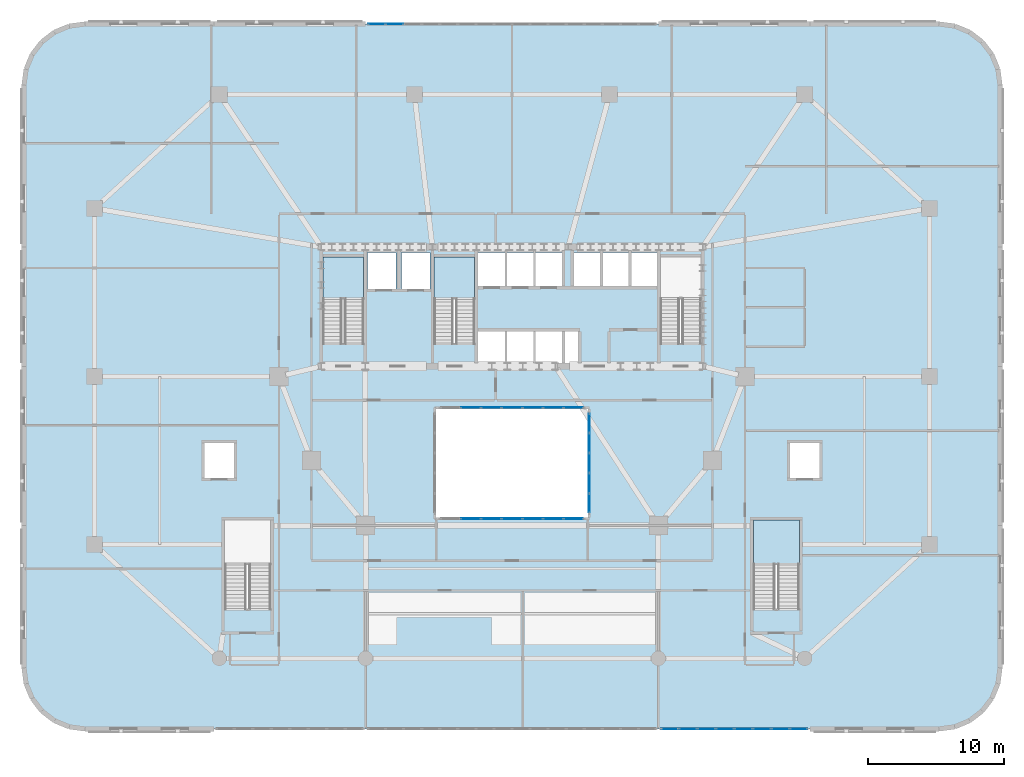
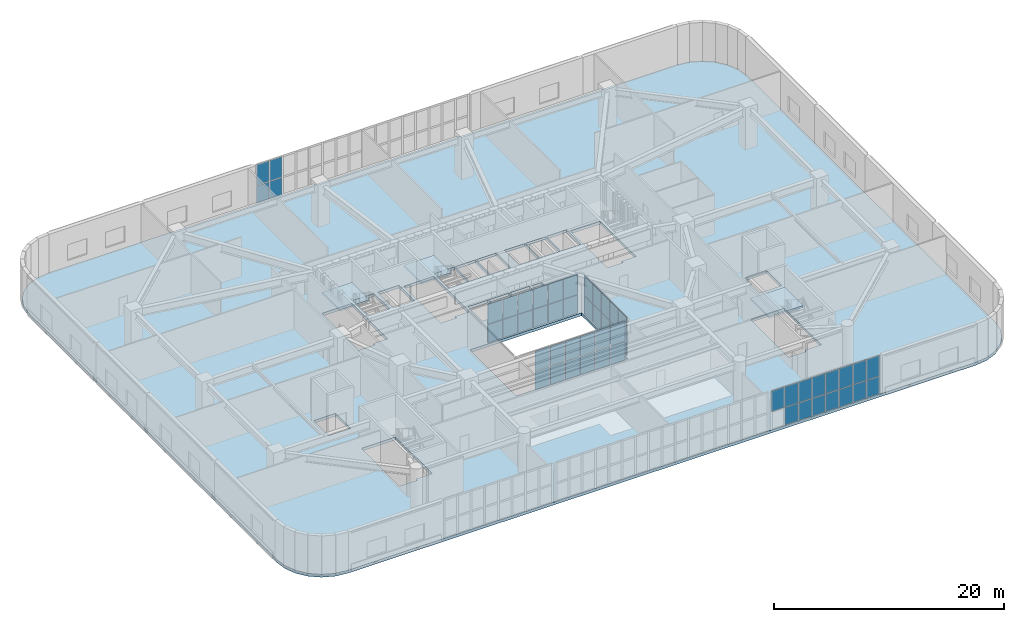
# One storey, part 12 of 25: 53 plates, 4 slabs, 8 elements without a shape of their own.
"""IFC4 building model written with IfcOpenShell, lengths in metres."""

from ifc_helpers import new_model, si_unit, direction, frame, origin, origin_2d, place, context, subcontext, project, spatial, polyline, rectangle, outline, extrude, material, layer, layer_set, type_object, element, aggregate, save


model = new_model("IFC4")

# Units and contexts
model_context = context("Model", 3, precision=1e-05, world=origin(), true_north=direction((0.0, 1.0)))
body_context = subcontext(model_context, "Body", "Model", "MODEL_VIEW")
ifc_project = project(units=[si_unit("LENGTHUNIT", "METRE"), si_unit("AREAUNIT", "SQUARE_METRE"), si_unit("VOLUMEUNIT", "CUBIC_METRE"), si_unit("PLANEANGLEUNIT", "RADIAN"), si_unit("MASSUNIT", "GRAM", prefix="KILO")], contexts=[model_context])

# Site, building, storey
site_placement = place(None, origin())
site = spatial("IfcSite", under=ifc_project, at=site_placement, CompositionType="ELEMENT")
building_placement = place(site_placement, origin())
building = spatial("IfcBuilding", under=site, at=building_placement, Name="Haldorwick Loom Tower", CompositionType="ELEMENT")
storey_placement = place(building_placement, frame((0.0, 0.0, 10.5)))
storey = spatial("IfcBuildingStorey", under=building, at=storey_placement, Name="L02", CompositionType="ELEMENT", Elevation=10.5)

# Curtain wall, plates
ifc_material_1 = material(Name="Thermally Broken Anodized Aluminium Curtain Wall Framing", Category="aluminium")
curtain_wall_type_1 = type_object("IfcCurtainWallType", Name="ARC-CW-02", PredefinedType="NOTDEFINED", material=ifc_material_1)
curtain_wall_1_placement = place(storey_placement, origin())
curtain_wall_1 = element("IfcCurtainWall", 1, at=curtain_wall_1_placement, inside=storey, type_object=curtain_wall_type_1, Name="L02 Facade Curtain Wall CW-02 Bay 19", PredefinedType="NOTDEFINED")
ifc_material_2 = material(Name="Triple-Glazed Low-E Argon Insulated Glazing Unit", Category="glass")
ifc_layer_1 = layer(ifc_material_2, 0.0400390625, Name="Triple-Glazed Low-E Argon Insulated Glazing Unit", Category="glass")
ifc_layer_set_1 = layer_set([ifc_layer_1], Name="Triple-Glazed Low-E Argon Insulated Glazing Unit")
plate_type_1 = type_object("IfcPlateType", Name="ARC-CWP-02", PredefinedType="CURTAIN_PANEL", material=ifc_layer_set_1)
plate_1_placement = place(storey_placement, frame((27.3388671875, 52.0, 0.06982421875), z_axis=(0.0, 0.0, 1.0), x_axis=(-1.0, 0.0, 0.0)))
plate_1 = element("IfcPlate", 2, at=plate_1_placement, type_object=plate_type_1, Name="CW-02 panel 15.1", PredefinedType="CURTAIN_PANEL", context=body_context, shape_type="SweptSolid", body=[
    extrude(rectangle(XDim=1.262451171875, YDim=0.0400390625, at=origin_2d()), origin(), (0.0, 0.0, 1.0), 1.844970703125),
])
plate_2_placement = place(storey_placement, frame((27.3388671875, 52.0, 1.985107421875), z_axis=(0.0, 0.0, 1.0), x_axis=(-1.0, 0.0, 0.0)))
plate_2 = element("IfcPlate", 3, at=plate_2_placement, type_object=plate_type_1, Name="CW-02 panel 15.2", PredefinedType="CURTAIN_PANEL", context=body_context, shape_type="SweptSolid", body=[
    extrude(rectangle(XDim=1.262451171875, YDim=0.0400390625, at=origin_2d()), origin(), (0.0, 0.0, 1.0), 2.14501953125),
])
plate_3_placement = place(storey_placement, frame((26.023681640625, 52.0, 0.06982421875), z_axis=(0.0, 0.0, 1.0), x_axis=(-1.0, 0.0, 0.0)))
plate_3 = element("IfcPlate", 4, at=plate_3_placement, type_object=plate_type_1, Name="CW-02 panel 16.1", PredefinedType="CURTAIN_PANEL", context=body_context, shape_type="SweptSolid", body=[
    extrude(rectangle(XDim=1.2275390625, YDim=0.0400390625, at=origin_2d()), origin(), (0.0, 0.0, 1.0), 1.844970703125),
])
plate_4_placement = place(storey_placement, frame((26.023681640625, 52.0, 1.985107421875), z_axis=(0.0, 0.0, 1.0), x_axis=(-1.0, 0.0, 0.0)))
plate_4 = element("IfcPlate", 5, at=plate_4_placement, type_object=plate_type_1, Name="CW-02 panel 16.2", PredefinedType="CURTAIN_PANEL", context=body_context, shape_type="SweptSolid", body=[
    extrude(rectangle(XDim=1.2275390625, YDim=0.0400390625, at=origin_2d()), origin(), (0.0, 0.0, 1.0), 2.14501953125),
])
aggregate(curtain_wall_1, [plate_1, plate_2, plate_3, plate_4])

curtain_wall_2_placement = place(storey_placement, origin())
curtain_wall_2 = element("IfcCurtainWall", 6, at=curtain_wall_2_placement, inside=storey, type_object=curtain_wall_type_1, Name="L02 Facade Curtain Wall CW-02 Bay 41", PredefinedType="NOTDEFINED")
plate_5_placement = place(storey_placement, frame((47.639892578125, 0.0, 1.985107421875), z_axis=(0.0, 0.0, 1.0), x_axis=(1.0, 0.0, 0.0)))
plate_5 = element("IfcPlate", 7, at=plate_5_placement, type_object=plate_type_1, Name="CW-02 panel 1.2", PredefinedType="CURTAIN_PANEL", context=body_context, shape_type="SweptSolid", body=[
    extrude(rectangle(XDim=1.260009765625, YDim=0.0400390625, at=origin_2d()), origin(), (0.0, 0.0, 1.0), 2.14501953125),
])
plate_6_placement = place(storey_placement, frame((48.987548828125, 0.0, 0.06982421875), z_axis=(0.0, 0.0, 1.0), x_axis=(1.0, 0.0, 0.0)))
plate_6 = element("IfcPlate", 8, at=plate_6_placement, type_object=plate_type_1, Name="CW-02 panel 2.1", PredefinedType="CURTAIN_PANEL", context=body_context, shape_type="SweptSolid", body=[
    extrude(rectangle(XDim=1.294921875, YDim=0.0400390625, at=origin_2d()), origin(), (0.0, 0.0, 1.0), 1.844970703125),
])
plate_7_placement = place(storey_placement, frame((48.987548828125, 0.0, 1.985107421875), z_axis=(0.0, 0.0, 1.0), x_axis=(1.0, 0.0, 0.0)))
plate_7 = element("IfcPlate", 9, at=plate_7_placement, type_object=plate_type_1, Name="CW-02 panel 2.2", PredefinedType="CURTAIN_PANEL", context=body_context, shape_type="SweptSolid", body=[
    extrude(rectangle(XDim=1.294921875, YDim=0.0400390625, at=origin_2d()), origin(), (0.0, 0.0, 1.0), 2.14501953125),
])
plate_8_placement = place(storey_placement, frame((50.3525390625, 0.0, 0.06982421875), z_axis=(0.0, 0.0, 1.0), x_axis=(1.0, 0.0, 0.0)))
plate_8 = element("IfcPlate", 10, at=plate_8_placement, type_object=plate_type_1, Name="CW-02 panel 3.1", PredefinedType="CURTAIN_PANEL", context=body_context, shape_type="SweptSolid", body=[
    extrude(rectangle(XDim=1.294921875, YDim=0.0400390625, at=origin_2d()), origin(), (0.0, 0.0, 1.0), 1.844970703125),
])
plate_9_placement = place(storey_placement, frame((50.3525390625, 0.0, 1.985107421875), z_axis=(0.0, 0.0, 1.0), x_axis=(1.0, 0.0, 0.0)))
plate_9 = element("IfcPlate", 11, at=plate_9_placement, type_object=plate_type_1, Name="CW-02 panel 3.2", PredefinedType="CURTAIN_PANEL", context=body_context, shape_type="SweptSolid", body=[
    extrude(rectangle(XDim=1.294921875, YDim=0.0400390625, at=origin_2d()), origin(), (0.0, 0.0, 1.0), 2.14501953125),
])
plate_10_placement = place(storey_placement, frame((51.717529296875, 0.0, 0.06982421875), z_axis=(0.0, 0.0, 1.0), x_axis=(1.0, 0.0, 0.0)))
plate_10 = element("IfcPlate", 12, at=plate_10_placement, type_object=plate_type_1, Name="CW-02 panel 4.1", PredefinedType="CURTAIN_PANEL", context=body_context, shape_type="SweptSolid", body=[
    extrude(rectangle(XDim=1.294921875, YDim=0.0400390625, at=origin_2d()), origin(), (0.0, 0.0, 1.0), 1.844970703125),
])
plate_11_placement = place(storey_placement, frame((51.717529296875, 0.0, 1.985107421875), z_axis=(0.0, 0.0, 1.0), x_axis=(1.0, 0.0, 0.0)))
plate_11 = element("IfcPlate", 13, at=plate_11_placement, type_object=plate_type_1, Name="CW-02 panel 4.2", PredefinedType="CURTAIN_PANEL", context=body_context, shape_type="SweptSolid", body=[
    extrude(rectangle(XDim=1.294921875, YDim=0.0400390625, at=origin_2d()), origin(), (0.0, 0.0, 1.0), 2.14501953125),
])
plate_12_placement = place(storey_placement, frame((53.08251953125, 0.0, 0.06982421875), z_axis=(0.0, 0.0, 1.0), x_axis=(1.0, 0.0, 0.0)))
plate_12 = element("IfcPlate", 14, at=plate_12_placement, type_object=plate_type_1, Name="CW-02 panel 5.1", PredefinedType="CURTAIN_PANEL", context=body_context, shape_type="SweptSolid", body=[
    extrude(rectangle(XDim=1.294921875, YDim=0.0400390625, at=origin_2d()), origin(), (0.0, 0.0, 1.0), 1.844970703125),
])
plate_13_placement = place(storey_placement, frame((53.08251953125, 0.0, 1.985107421875), z_axis=(0.0, 0.0, 1.0), x_axis=(1.0, 0.0, 0.0)))
plate_13 = element("IfcPlate", 15, at=plate_13_placement, type_object=plate_type_1, Name="CW-02 panel 5.2", PredefinedType="CURTAIN_PANEL", context=body_context, shape_type="SweptSolid", body=[
    extrude(rectangle(XDim=1.294921875, YDim=0.0400390625, at=origin_2d()), origin(), (0.0, 0.0, 1.0), 2.14501953125),
])
plate_14_placement = place(storey_placement, frame((54.447509765625, 0.0, 0.06982421875), z_axis=(0.0, 0.0, 1.0), x_axis=(1.0, 0.0, 0.0)))
plate_14 = element("IfcPlate", 16, at=plate_14_placement, type_object=plate_type_1, Name="CW-02 panel 6.1", PredefinedType="CURTAIN_PANEL", context=body_context, shape_type="SweptSolid", body=[
    extrude(rectangle(XDim=1.294921875, YDim=0.0400390625, at=origin_2d()), origin(), (0.0, 0.0, 1.0), 1.844970703125),
])
plate_15_placement = place(storey_placement, frame((54.447509765625, 0.0, 1.985107421875), z_axis=(0.0, 0.0, 1.0), x_axis=(1.0, 0.0, 0.0)))
plate_15 = element("IfcPlate", 17, at=plate_15_placement, type_object=plate_type_1, Name="CW-02 panel 6.2", PredefinedType="CURTAIN_PANEL", context=body_context, shape_type="SweptSolid", body=[
    extrude(rectangle(XDim=1.294921875, YDim=0.0400390625, at=origin_2d()), origin(), (0.0, 0.0, 1.0), 2.14501953125),
])
plate_16_placement = place(storey_placement, frame((55.8125, 0.0, 0.06982421875), z_axis=(0.0, 0.0, 1.0), x_axis=(1.0, 0.0, 0.0)))
plate_16 = element("IfcPlate", 18, at=plate_16_placement, type_object=plate_type_1, Name="CW-02 panel 7.1", PredefinedType="CURTAIN_PANEL", context=body_context, shape_type="SweptSolid", body=[
    extrude(rectangle(XDim=1.294921875, YDim=0.0400390625, at=origin_2d()), origin(), (0.0, 0.0, 1.0), 1.844970703125),
])
plate_17_placement = place(storey_placement, frame((55.8125, 0.0, 1.985107421875), z_axis=(0.0, 0.0, 1.0), x_axis=(1.0, 0.0, 0.0)))
plate_17 = element("IfcPlate", 19, at=plate_17_placement, type_object=plate_type_1, Name="CW-02 panel 7.2", PredefinedType="CURTAIN_PANEL", context=body_context, shape_type="SweptSolid", body=[
    extrude(rectangle(XDim=1.294921875, YDim=0.0400390625, at=origin_2d()), origin(), (0.0, 0.0, 1.0), 2.14501953125),
])
plate_18_placement = place(storey_placement, frame((57.159912109375, 0.0, 0.06982421875), z_axis=(0.0, 0.0, 1.0), x_axis=(1.0, 0.0, 0.0)))
plate_18 = element("IfcPlate", 20, at=plate_18_placement, type_object=plate_type_1, Name="CW-02 panel 8.1", PredefinedType="CURTAIN_PANEL", context=body_context, shape_type="SweptSolid", body=[
    extrude(rectangle(XDim=1.260009765625, YDim=0.0400390625, at=origin_2d()), origin(), (0.0, 0.0, 1.0), 1.844970703125),
])
plate_19_placement = place(storey_placement, frame((57.159912109375, 0.0, 1.985107421875), z_axis=(0.0, 0.0, 1.0), x_axis=(1.0, 0.0, 0.0)))
plate_19 = element("IfcPlate", 21, at=plate_19_placement, type_object=plate_type_1, Name="CW-02 panel 8.2", PredefinedType="CURTAIN_PANEL", context=body_context, shape_type="SweptSolid", body=[
    extrude(rectangle(XDim=1.260009765625, YDim=0.0400390625, at=origin_2d()), origin(), (0.0, 0.0, 1.0), 2.14501953125),
])
aggregate(curtain_wall_2, [plate_5, plate_6, plate_7, plate_8, plate_9, plate_10, plate_11, plate_12, plate_13, plate_14, plate_15, plate_16, plate_17, plate_18, plate_19])

curtain_wall_type_2 = type_object("IfcCurtainWallType", Name="ARC-CW-03", PredefinedType="NOTDEFINED", material=ifc_material_1)
curtain_wall_3_placement = place(storey_placement, origin())
curtain_wall_3 = element("IfcCurtainWall", 22, at=curtain_wall_3_placement, inside=storey, type_object=curtain_wall_type_2, Name="L02 Atrium Glazed Screen S", PredefinedType="NOTDEFINED")
ifc_layer_2 = layer(ifc_material_2, 0.04296875, Name="Triple-Glazed Low-E Argon Insulated Glazing Unit", Category="glass")
ifc_layer_set_2 = layer_set([ifc_layer_2], Name="Triple-Glazed Low-E Argon Insulated Glazing Unit")
plate_type_2 = type_object("IfcPlateType", Name="ARC-CWP-03", PredefinedType="CURTAIN_PANEL", material=ifc_layer_set_2)
plate_20_placement = place(storey_placement, frame((40.5263671875, 15.5, 0.066162109375), z_axis=(0.0, 0.0, 1.0), x_axis=(-1.0, 0.0, 0.0)))
plate_20 = element("IfcPlate", 23, at=plate_20_placement, type_object=plate_type_2, Name="CW-03 panel 1.1", PredefinedType="CURTAIN_PANEL", context=body_context, shape_type="SweptSolid", body=[
    extrude(rectangle(XDim=1.415283203125, YDim=0.04296875, at=origin_2d()), origin(), (0.0, 0.0, 1.0), 1.90087890625),
])
plate_21_placement = place(storey_placement, frame((40.5263671875, 15.5, 2.032958984375), z_axis=(0.0, 0.0, 1.0), x_axis=(-1.0, 0.0, 0.0)))
plate_21 = element("IfcPlate", 24, at=plate_21_placement, type_object=plate_type_2, Name="CW-03 panel 1.2", PredefinedType="CURTAIN_PANEL", context=body_context, shape_type="SweptSolid", body=[
    extrude(rectangle(XDim=1.415283203125, YDim=0.04296875, at=origin_2d()), origin(), (0.0, 0.0, 1.0), 2.10107421875),
])
plate_22_placement = place(storey_placement, frame((39.028564453125, 15.5, 0.066162109375), z_axis=(0.0, 0.0, 1.0), x_axis=(-1.0, 0.0, 0.0)))
plate_22 = element("IfcPlate", 25, at=plate_22_placement, type_object=plate_type_2, Name="CW-03 panel 2.1", PredefinedType="CURTAIN_PANEL", context=body_context, shape_type="SweptSolid", body=[
    extrude(rectangle(XDim=1.4482421875, YDim=0.04296875, at=origin_2d()), origin(), (0.0, 0.0, 1.0), 1.90087890625),
])
plate_23_placement = place(storey_placement, frame((39.028564453125, 15.5, 2.032958984375), z_axis=(0.0, 0.0, 1.0), x_axis=(-1.0, 0.0, 0.0)))
plate_23 = element("IfcPlate", 26, at=plate_23_placement, type_object=plate_type_2, Name="CW-03 panel 2.2", PredefinedType="CURTAIN_PANEL", context=body_context, shape_type="SweptSolid", body=[
    extrude(rectangle(XDim=1.4482421875, YDim=0.04296875, at=origin_2d()), origin(), (0.0, 0.0, 1.0), 2.10107421875),
])
plate_24_placement = place(storey_placement, frame((37.514404296875, 15.5, 0.066162109375), z_axis=(0.0, 0.0, 1.0), x_axis=(-1.0, 0.0, 0.0)))
plate_24 = element("IfcPlate", 27, at=plate_24_placement, type_object=plate_type_2, Name="CW-03 panel 3.1", PredefinedType="CURTAIN_PANEL", context=body_context, shape_type="SweptSolid", body=[
    extrude(rectangle(XDim=1.4482421875, YDim=0.04296875, at=origin_2d()), origin(), (0.0, 0.0, 1.0), 1.90087890625),
])
plate_25_placement = place(storey_placement, frame((37.514404296875, 15.5, 2.032958984375), z_axis=(0.0, 0.0, 1.0), x_axis=(-1.0, 0.0, 0.0)))
plate_25 = element("IfcPlate", 28, at=plate_25_placement, type_object=plate_type_2, Name="CW-03 panel 3.2", PredefinedType="CURTAIN_PANEL", context=body_context, shape_type="SweptSolid", body=[
    extrude(rectangle(XDim=1.4482421875, YDim=0.04296875, at=origin_2d()), origin(), (0.0, 0.0, 1.0), 2.10107421875),
])
plate_26_placement = place(storey_placement, frame((36.0, 15.5, 0.066162109375), z_axis=(0.0, 0.0, 1.0), x_axis=(-1.0, 0.0, 0.0)))
plate_26 = element("IfcPlate", 29, at=plate_26_placement, type_object=plate_type_2, Name="CW-03 panel 4.1", PredefinedType="CURTAIN_PANEL", context=body_context, shape_type="SweptSolid", body=[
    extrude(rectangle(XDim=1.4482421875, YDim=0.04296875, at=origin_2d()), origin(), (0.0, 0.0, 1.0), 1.90087890625),
])
plate_27_placement = place(storey_placement, frame((36.0, 15.5, 2.032958984375), z_axis=(0.0, 0.0, 1.0), x_axis=(-1.0, 0.0, 0.0)))
plate_27 = element("IfcPlate", 30, at=plate_27_placement, type_object=plate_type_2, Name="CW-03 panel 4.2", PredefinedType="CURTAIN_PANEL", context=body_context, shape_type="SweptSolid", body=[
    extrude(rectangle(XDim=1.4482421875, YDim=0.04296875, at=origin_2d()), origin(), (0.0, 0.0, 1.0), 2.10107421875),
])
plate_28_placement = place(storey_placement, frame((34.485595703125, 15.5, 0.066162109375), z_axis=(0.0, 0.0, 1.0), x_axis=(-1.0, 0.0, 0.0)))
plate_28 = element("IfcPlate", 31, at=plate_28_placement, type_object=plate_type_2, Name="CW-03 panel 5.1", PredefinedType="CURTAIN_PANEL", context=body_context, shape_type="SweptSolid", body=[
    extrude(rectangle(XDim=1.4482421875, YDim=0.04296875, at=origin_2d()), origin(), (0.0, 0.0, 1.0), 1.90087890625),
])
plate_29_placement = place(storey_placement, frame((34.485595703125, 15.5, 2.032958984375), z_axis=(0.0, 0.0, 1.0), x_axis=(-1.0, 0.0, 0.0)))
plate_29 = element("IfcPlate", 32, at=plate_29_placement, type_object=plate_type_2, Name="CW-03 panel 5.2", PredefinedType="CURTAIN_PANEL", context=body_context, shape_type="SweptSolid", body=[
    extrude(rectangle(XDim=1.4482421875, YDim=0.04296875, at=origin_2d()), origin(), (0.0, 0.0, 1.0), 2.10107421875),
])
plate_30_placement = place(storey_placement, frame((32.971435546875, 15.5, 0.066162109375), z_axis=(0.0, 0.0, 1.0), x_axis=(-1.0, 0.0, 0.0)))
plate_30 = element("IfcPlate", 33, at=plate_30_placement, type_object=plate_type_2, Name="CW-03 panel 6.1", PredefinedType="CURTAIN_PANEL", context=body_context, shape_type="SweptSolid", body=[
    extrude(rectangle(XDim=1.4482421875, YDim=0.04296875, at=origin_2d()), origin(), (0.0, 0.0, 1.0), 1.90087890625),
])
plate_31_placement = place(storey_placement, frame((32.971435546875, 15.5, 2.032958984375), z_axis=(0.0, 0.0, 1.0), x_axis=(-1.0, 0.0, 0.0)))
plate_31 = element("IfcPlate", 34, at=plate_31_placement, type_object=plate_type_2, Name="CW-03 panel 6.2", PredefinedType="CURTAIN_PANEL", context=body_context, shape_type="SweptSolid", body=[
    extrude(rectangle(XDim=1.4482421875, YDim=0.04296875, at=origin_2d()), origin(), (0.0, 0.0, 1.0), 2.10107421875),
])
aggregate(curtain_wall_3, [plate_20, plate_21, plate_22, plate_23, plate_24, plate_25, plate_26, plate_27, plate_28, plate_29, plate_30, plate_31])

curtain_wall_4_placement = place(storey_placement, origin())
curtain_wall_4 = element("IfcCurtainWall", 35, at=curtain_wall_4_placement, inside=storey, type_object=curtain_wall_type_2, Name="L02 Atrium Glazed Screen N", PredefinedType="NOTDEFINED")
plate_32_placement = place(storey_placement, frame((32.971435546875, 23.699951171875, 0.066162109375), z_axis=(0.0, 0.0, 1.0), x_axis=(1.0, 0.0, 0.0)))
plate_32 = element("IfcPlate", 36, at=plate_32_placement, type_object=plate_type_2, Name="CW-03 panel 2.1", PredefinedType="CURTAIN_PANEL", context=body_context, shape_type="SweptSolid", body=[
    extrude(rectangle(XDim=1.4482421875, YDim=0.04296875, at=origin_2d()), origin(), (0.0, 0.0, 1.0), 1.90087890625),
])
plate_33_placement = place(storey_placement, frame((32.971435546875, 23.699951171875, 2.032958984375), z_axis=(0.0, 0.0, 1.0), x_axis=(1.0, 0.0, 0.0)))
plate_33 = element("IfcPlate", 37, at=plate_33_placement, type_object=plate_type_2, Name="CW-03 panel 2.2", PredefinedType="CURTAIN_PANEL", context=body_context, shape_type="SweptSolid", body=[
    extrude(rectangle(XDim=1.4482421875, YDim=0.04296875, at=origin_2d()), origin(), (0.0, 0.0, 1.0), 2.10107421875),
])
plate_34_placement = place(storey_placement, frame((34.485595703125, 23.699951171875, 0.066162109375), z_axis=(0.0, 0.0, 1.0), x_axis=(1.0, 0.0, 0.0)))
plate_34 = element("IfcPlate", 38, at=plate_34_placement, type_object=plate_type_2, Name="CW-03 panel 3.1", PredefinedType="CURTAIN_PANEL", context=body_context, shape_type="SweptSolid", body=[
    extrude(rectangle(XDim=1.4482421875, YDim=0.04296875, at=origin_2d()), origin(), (0.0, 0.0, 1.0), 1.90087890625),
])
plate_35_placement = place(storey_placement, frame((34.485595703125, 23.699951171875, 2.032958984375), z_axis=(0.0, 0.0, 1.0), x_axis=(1.0, 0.0, 0.0)))
plate_35 = element("IfcPlate", 39, at=plate_35_placement, type_object=plate_type_2, Name="CW-03 panel 3.2", PredefinedType="CURTAIN_PANEL", context=body_context, shape_type="SweptSolid", body=[
    extrude(rectangle(XDim=1.4482421875, YDim=0.04296875, at=origin_2d()), origin(), (0.0, 0.0, 1.0), 2.10107421875),
])
plate_36_placement = place(storey_placement, frame((36.0, 23.699951171875, 0.066162109375), z_axis=(0.0, 0.0, 1.0), x_axis=(1.0, 0.0, 0.0)))
plate_36 = element("IfcPlate", 40, at=plate_36_placement, type_object=plate_type_2, Name="CW-03 panel 4.1", PredefinedType="CURTAIN_PANEL", context=body_context, shape_type="SweptSolid", body=[
    extrude(rectangle(XDim=1.4482421875, YDim=0.04296875, at=origin_2d()), origin(), (0.0, 0.0, 1.0), 1.90087890625),
])
plate_37_placement = place(storey_placement, frame((36.0, 23.699951171875, 2.032958984375), z_axis=(0.0, 0.0, 1.0), x_axis=(1.0, 0.0, 0.0)))
plate_37 = element("IfcPlate", 41, at=plate_37_placement, type_object=plate_type_2, Name="CW-03 panel 4.2", PredefinedType="CURTAIN_PANEL", context=body_context, shape_type="SweptSolid", body=[
    extrude(rectangle(XDim=1.4482421875, YDim=0.04296875, at=origin_2d()), origin(), (0.0, 0.0, 1.0), 2.10107421875),
])
plate_38_placement = place(storey_placement, frame((37.514404296875, 23.699951171875, 0.066162109375), z_axis=(0.0, 0.0, 1.0), x_axis=(1.0, 0.0, 0.0)))
plate_38 = element("IfcPlate", 42, at=plate_38_placement, type_object=plate_type_2, Name="CW-03 panel 5.1", PredefinedType="CURTAIN_PANEL", context=body_context, shape_type="SweptSolid", body=[
    extrude(rectangle(XDim=1.4482421875, YDim=0.04296875, at=origin_2d()), origin(), (0.0, 0.0, 1.0), 1.90087890625),
])
plate_39_placement = place(storey_placement, frame((37.514404296875, 23.699951171875, 2.032958984375), z_axis=(0.0, 0.0, 1.0), x_axis=(1.0, 0.0, 0.0)))
plate_39 = element("IfcPlate", 43, at=plate_39_placement, type_object=plate_type_2, Name="CW-03 panel 5.2", PredefinedType="CURTAIN_PANEL", context=body_context, shape_type="SweptSolid", body=[
    extrude(rectangle(XDim=1.4482421875, YDim=0.04296875, at=origin_2d()), origin(), (0.0, 0.0, 1.0), 2.10107421875),
])
plate_40_placement = place(storey_placement, frame((39.028564453125, 23.699951171875, 0.066162109375), z_axis=(0.0, 0.0, 1.0), x_axis=(1.0, 0.0, 0.0)))
plate_40 = element("IfcPlate", 44, at=plate_40_placement, type_object=plate_type_2, Name="CW-03 panel 6.1", PredefinedType="CURTAIN_PANEL", context=body_context, shape_type="SweptSolid", body=[
    extrude(rectangle(XDim=1.4482421875, YDim=0.04296875, at=origin_2d()), origin(), (0.0, 0.0, 1.0), 1.90087890625),
])
plate_41_placement = place(storey_placement, frame((39.028564453125, 23.699951171875, 2.032958984375), z_axis=(0.0, 0.0, 1.0), x_axis=(1.0, 0.0, 0.0)))
plate_41 = element("IfcPlate", 45, at=plate_41_placement, type_object=plate_type_2, Name="CW-03 panel 6.2", PredefinedType="CURTAIN_PANEL", context=body_context, shape_type="SweptSolid", body=[
    extrude(rectangle(XDim=1.4482421875, YDim=0.04296875, at=origin_2d()), origin(), (0.0, 0.0, 1.0), 2.10107421875),
])
plate_42_placement = place(storey_placement, frame((40.5263671875, 23.699951171875, 0.066162109375), z_axis=(0.0, 0.0, 1.0), x_axis=(1.0, 0.0, 0.0)))
plate_42 = element("IfcPlate", 46, at=plate_42_placement, type_object=plate_type_2, Name="CW-03 panel 7.1", PredefinedType="CURTAIN_PANEL", context=body_context, shape_type="SweptSolid", body=[
    extrude(rectangle(XDim=1.415283203125, YDim=0.04296875, at=origin_2d()), origin(), (0.0, 0.0, 1.0), 1.90087890625),
])
plate_43_placement = place(storey_placement, frame((40.5263671875, 23.699951171875, 2.032958984375), z_axis=(0.0, 0.0, 1.0), x_axis=(1.0, 0.0, 0.0)))
plate_43 = element("IfcPlate", 47, at=plate_43_placement, type_object=plate_type_2, Name="CW-03 panel 7.2", PredefinedType="CURTAIN_PANEL", context=body_context, shape_type="SweptSolid", body=[
    extrude(rectangle(XDim=1.415283203125, YDim=0.04296875, at=origin_2d()), origin(), (0.0, 0.0, 1.0), 2.10107421875),
])
aggregate(curtain_wall_4, [plate_32, plate_33, plate_34, plate_35, plate_36, plate_37, plate_38, plate_39, plate_40, plate_41, plate_42, plate_43])

curtain_wall_5_placement = place(storey_placement, origin())
curtain_wall_5 = element("IfcCurtainWall", 48, at=curtain_wall_5_placement, inside=storey, type_object=curtain_wall_type_2, Name="L02 Atrium Glazed Screen E", PredefinedType="NOTDEFINED")
plate_44_placement = place(storey_placement, frame((41.699951171875, 22.54345703125, 0.066162109375), z_axis=(0.0, 0.0, 1.0), x_axis=(0.0, -1.0, 0.0)))
plate_44 = element("IfcPlate", 49, at=plate_44_placement, type_object=plate_type_2, Name="CW-03 panel 1.1", PredefinedType="CURTAIN_PANEL", context=body_context, shape_type="SweptSolid", body=[
    extrude(rectangle(XDim=1.381103515625, YDim=0.04296875, at=origin_2d()), origin(), (0.0, 0.0, 1.0), 1.90087890625),
])
plate_45_placement = place(storey_placement, frame((41.699951171875, 22.54345703125, 2.032958984375), z_axis=(0.0, 0.0, 1.0), x_axis=(0.0, -1.0, 0.0)))
plate_45 = element("IfcPlate", 50, at=plate_45_placement, type_object=plate_type_2, Name="CW-03 panel 1.2", PredefinedType="CURTAIN_PANEL", context=body_context, shape_type="SweptSolid", body=[
    extrude(rectangle(XDim=1.381103515625, YDim=0.04296875, at=origin_2d()), origin(), (0.0, 0.0, 1.0), 2.10107421875),
])
plate_46_placement = place(storey_placement, frame((41.699951171875, 21.080078125, 0.066162109375), z_axis=(0.0, 0.0, 1.0), x_axis=(0.0, -1.0, 0.0)))
plate_46 = element("IfcPlate", 51, at=plate_46_placement, type_object=plate_type_2, Name="CW-03 panel 2.1", PredefinedType="CURTAIN_PANEL", context=body_context, shape_type="SweptSolid", body=[
    extrude(rectangle(XDim=1.4140625, YDim=0.04296875, at=origin_2d()), origin(), (0.0, 0.0, 1.0), 1.90087890625),
])
plate_47_placement = place(storey_placement, frame((41.699951171875, 21.080078125, 2.032958984375), z_axis=(0.0, 0.0, 1.0), x_axis=(0.0, -1.0, 0.0)))
plate_47 = element("IfcPlate", 52, at=plate_47_placement, type_object=plate_type_2, Name="CW-03 panel 2.2", PredefinedType="CURTAIN_PANEL", context=body_context, shape_type="SweptSolid", body=[
    extrude(rectangle(XDim=1.4140625, YDim=0.04296875, at=origin_2d()), origin(), (0.0, 0.0, 1.0), 2.10107421875),
])
plate_48_placement = place(storey_placement, frame((41.699951171875, 19.60009765625, 0.066162109375), z_axis=(0.0, 0.0, 1.0), x_axis=(0.0, -1.0, 0.0)))
plate_48 = element("IfcPlate", 53, at=plate_48_placement, type_object=plate_type_2, Name="CW-03 panel 3.1", PredefinedType="CURTAIN_PANEL", context=body_context, shape_type="SweptSolid", body=[
    extrude(rectangle(XDim=1.4140625, YDim=0.04296875, at=origin_2d()), origin(), (0.0, 0.0, 1.0), 1.90087890625),
])
plate_49_placement = place(storey_placement, frame((41.699951171875, 19.60009765625, 2.032958984375), z_axis=(0.0, 0.0, 1.0), x_axis=(0.0, -1.0, 0.0)))
plate_49 = element("IfcPlate", 54, at=plate_49_placement, type_object=plate_type_2, Name="CW-03 panel 3.2", PredefinedType="CURTAIN_PANEL", context=body_context, shape_type="SweptSolid", body=[
    extrude(rectangle(XDim=1.4140625, YDim=0.04296875, at=origin_2d()), origin(), (0.0, 0.0, 1.0), 2.10107421875),
])
plate_50_placement = place(storey_placement, frame((41.699951171875, 18.1201171875, 0.066162109375), z_axis=(0.0, 0.0, 1.0), x_axis=(0.0, -1.0, 0.0)))
plate_50 = element("IfcPlate", 55, at=plate_50_placement, type_object=plate_type_2, Name="CW-03 panel 4.1", PredefinedType="CURTAIN_PANEL", context=body_context, shape_type="SweptSolid", body=[
    extrude(rectangle(XDim=1.4140625, YDim=0.04296875, at=origin_2d()), origin(), (0.0, 0.0, 1.0), 1.90087890625),
])
plate_51_placement = place(storey_placement, frame((41.699951171875, 18.1201171875, 2.032958984375), z_axis=(0.0, 0.0, 1.0), x_axis=(0.0, -1.0, 0.0)))
plate_51 = element("IfcPlate", 56, at=plate_51_placement, type_object=plate_type_2, Name="CW-03 panel 4.2", PredefinedType="CURTAIN_PANEL", context=body_context, shape_type="SweptSolid", body=[
    extrude(rectangle(XDim=1.4140625, YDim=0.04296875, at=origin_2d()), origin(), (0.0, 0.0, 1.0), 2.10107421875),
])
plate_52_placement = place(storey_placement, frame((41.699951171875, 16.656494140625, 0.066162109375), z_axis=(0.0, 0.0, 1.0), x_axis=(0.0, -1.0, 0.0)))
plate_52 = element("IfcPlate", 57, at=plate_52_placement, type_object=plate_type_2, Name="CW-03 panel 5.1", PredefinedType="CURTAIN_PANEL", context=body_context, shape_type="SweptSolid", body=[
    extrude(rectangle(XDim=1.381103515625, YDim=0.04296875, at=origin_2d()), origin(), (0.0, 0.0, 1.0), 1.90087890625),
])
plate_53_placement = place(storey_placement, frame((41.699951171875, 16.656494140625, 2.032958984375), z_axis=(0.0, 0.0, 1.0), x_axis=(0.0, -1.0, 0.0)))
plate_53 = element("IfcPlate", 58, at=plate_53_placement, type_object=plate_type_2, Name="CW-03 panel 5.2", PredefinedType="CURTAIN_PANEL", context=body_context, shape_type="SweptSolid", body=[
    extrude(rectangle(XDim=1.381103515625, YDim=0.04296875, at=origin_2d()), origin(), (0.0, 0.0, 1.0), 2.10107421875),
])
aggregate(curtain_wall_5, [plate_44, plate_45, plate_46, plate_47, plate_48, plate_49, plate_50, plate_51, plate_52, plate_53])

# Slab
ifc_material_3 = material(Name="Concrete C40 (40 MPa)", Category="concrete")
ifc_layer_3 = layer(ifc_material_3, 0.300048828125, Name="Concrete C40 (40 MPa)", Category="concrete")
ifc_layer_set_3 = layer_set([ifc_layer_3], Name="Concrete C40 (40 MPa)")
slab_type_1 = type_object("IfcSlabType", Name="STR-SLB-CONC300", PredefinedType="FLOOR", material=ifc_layer_set_3)
slab_1_placement = place(storey_placement, frame((0.0, 0.0, -0.300048828125)))
element("IfcSlab", 59, at=slab_1_placement, inside=storey, type_object=slab_type_1, Name="L02 Structural Floor Slab", PredefinedType="FLOOR", context=body_context, shape_type="SweptSolid", body=[
    extrude(outline(polyline([(1.318115234375, 1.318115234375), (2.25, 0.602783203125), (3.335205078125, 0.1533203125), (4.5, 0.0), (67.5, 0.0), (68.664794921875, 0.1533203125), (69.75, 0.602783203125), (70.681884765625, 1.318115234375), (71.397216796875, 2.25), (71.8466796875, 3.335205078125), (72.0, 4.5), (72.0, 47.5), (71.8466796875, 48.664794921875), (71.397216796875, 49.75), (70.681884765625, 50.681884765625), (69.75, 51.397216796875), (68.664794921875, 51.8466796875), (67.5, 52.0), (4.5, 52.0), (3.335205078125, 51.8466796875), (2.25, 51.397216796875), (1.318115234375, 50.681884765625), (0.602783203125, 49.75), (0.1533203125, 48.664794921875), (0.0, 47.5), (0.0, 4.5), (0.1533203125, 3.335205078125), (0.602783203125, 2.25), (1.318115234375, 1.318115234375)]), holes=[polyline([(18.199951171875, 9.0400390625), (16.570068359375, 9.0400390625), (16.570068359375, 8.800048828125), (14.800048828125, 8.800048828125), (14.800048828125, 15.39990234375), (18.199951171875, 15.39990234375), (18.199951171875, 9.0400390625)]), polyline([(57.199951171875, 15.39990234375), (57.199951171875, 9.0400390625), (55.570068359375, 9.0400390625), (55.570068359375, 8.800048828125), (53.800048828125, 8.800048828125), (53.800048828125, 15.39990234375), (57.199951171875, 15.39990234375)]), polyline([(30.39990234375, 15.60009765625), (30.39990234375, 23.60009765625), (41.60009765625, 23.60009765625), (41.60009765625, 15.60009765625), (30.39990234375, 15.60009765625)]), polyline([(15.5, 18.5), (13.300048828125, 18.5), (13.300048828125, 21.10009765625), (15.5, 21.10009765625), (15.5, 18.5)]), polyline([(33.5, 26.85009765625), (33.5, 29.35009765625), (35.5, 29.35009765625), (35.5, 26.85009765625), (33.5, 26.85009765625)]), polyline([(22.050048828125, 28.39990234375), (22.050048828125, 34.800048828125), (25.050048828125, 34.800048828125), (25.050048828125, 28.639892578125), (23.6201171875, 28.639892578125), (23.6201171875, 28.39990234375), (22.050048828125, 28.39990234375)]), polyline([(31.820068359375, 28.39990234375), (30.25, 28.39990234375), (30.25, 34.800048828125), (33.25, 34.800048828125), (33.25, 28.639892578125), (31.820068359375, 28.639892578125), (31.820068359375, 28.39990234375)]), polyline([(27.449951171875, 32.449951171875), (25.35009765625, 32.449951171875), (25.35009765625, 35.14990234375), (27.449951171875, 35.14990234375), (27.449951171875, 32.449951171875)]), polyline([(29.949951171875, 32.449951171875), (27.85009765625, 32.449951171875), (27.85009765625, 35.14990234375), (29.949951171875, 35.14990234375), (29.949951171875, 32.449951171875)]), polyline([(33.5, 32.64990234375), (33.5, 35.14990234375), (35.5, 35.14990234375), (35.5, 32.64990234375), (33.5, 32.64990234375)]), polyline([(35.60009765625, 32.64990234375), (35.60009765625, 35.14990234375), (37.60009765625, 35.14990234375), (37.60009765625, 32.64990234375), (35.60009765625, 32.64990234375)]), polyline([(58.699951171875, 18.5), (56.5, 18.5), (56.5, 21.10009765625), (58.699951171875, 21.10009765625), (58.699951171875, 18.5)]), polyline([(37.60009765625, 26.85009765625), (35.60009765625, 26.85009765625), (35.60009765625, 29.35009765625), (37.60009765625, 29.35009765625), (37.60009765625, 26.85009765625)]), polyline([(37.699951171875, 26.85009765625), (37.699951171875, 29.35009765625), (39.699951171875, 29.35009765625), (39.699951171875, 26.85009765625), (37.699951171875, 26.85009765625)]), polyline([(39.89990234375, 26.89990234375), (39.89990234375, 29.300048828125), (40.89990234375, 29.300048828125), (40.89990234375, 26.89990234375), (39.89990234375, 26.89990234375)]), polyline([(48.52001953125, 28.39990234375), (46.949951171875, 28.39990234375), (46.949951171875, 34.800048828125), (49.949951171875, 34.800048828125), (49.949951171875, 28.639892578125), (48.52001953125, 28.639892578125), (48.52001953125, 28.39990234375)]), polyline([(39.699951171875, 32.64990234375), (37.699951171875, 32.64990234375), (37.699951171875, 35.14990234375), (39.699951171875, 35.14990234375), (39.699951171875, 32.64990234375)]), polyline([(42.550048828125, 32.64990234375), (40.550048828125, 32.64990234375), (40.550048828125, 35.14990234375), (42.550048828125, 35.14990234375), (42.550048828125, 32.64990234375)]), polyline([(42.64990234375, 32.64990234375), (42.64990234375, 35.14990234375), (44.64990234375, 35.14990234375), (44.64990234375, 32.64990234375), (42.64990234375, 32.64990234375)]), polyline([(44.75, 32.64990234375), (44.75, 35.14990234375), (46.75, 35.14990234375), (46.75, 32.64990234375), (44.75, 32.64990234375)])]), origin(), (0.0, 0.0, 1.0), 0.300048828125),
])

# Stair, slab
stair_type_1 = type_object("IfcStairType", Name="STR-STR-CORE", PredefinedType="HALF_TURN_STAIR", material=ifc_material_3)
stair_1_placement = place(storey_placement, origin())
stair_1 = element("IfcStair", 60, at=stair_1_placement, inside=storey, type_object=stair_type_1, Name="L02 Exit Stair ST-01", PredefinedType="HALF_TURN_STAIR")
ifc_layer_4 = layer(ifc_material_3, 0.199951171875, Name="Concrete C40 (40 MPa)", Category="concrete")
ifc_layer_set_4 = layer_set([ifc_layer_4], Name="Concrete C40 (40 MPa)")
slab_type_2 = type_object("IfcSlabType", Name="STR-SLB-LAND200", PredefinedType="LANDING", material=ifc_layer_set_4)
slab_2_placement = place(storey_placement, frame((0.0, 0.0, 2.050048828125)))
slab_2 = element("IfcSlab", 61, at=slab_2_placement, type_object=slab_type_2, Name="ST-01 landing 1", PredefinedType="LANDING", context=body_context, shape_type="SweptSolid", body=[
    extrude(outline(polyline([(25.050048828125, 31.760009765625), (25.050048828125, 34.800048828125), (22.050048828125, 34.800048828125), (22.050048828125, 31.760009765625), (25.050048828125, 31.760009765625)])), origin(), (0.0, 0.0, 1.0), 0.199951171875),
])
aggregate(stair_1, [slab_2])

stair_2_placement = place(storey_placement, origin())
stair_2 = element("IfcStair", 62, at=stair_2_placement, inside=storey, type_object=stair_type_1, Name="L02 Exit Stair ST-03", PredefinedType="HALF_TURN_STAIR")
slab_3_placement = place(storey_placement, frame((0.0, 0.0, 2.050048828125)))
slab_3 = element("IfcSlab", 63, at=slab_3_placement, type_object=slab_type_2, Name="ST-03 landing 1", PredefinedType="LANDING", context=body_context, shape_type="SweptSolid", body=[
    extrude(outline(polyline([(33.25, 31.760009765625), (33.25, 34.800048828125), (30.25, 34.800048828125), (30.25, 31.760009765625), (33.25, 31.760009765625)])), origin(), (0.0, 0.0, 1.0), 0.199951171875),
])
aggregate(stair_2, [slab_3])

stair_type_2 = type_object("IfcStairType", Name="STR-STR-POD", PredefinedType="HALF_TURN_STAIR", material=ifc_material_3)
stair_3_placement = place(storey_placement, origin())
stair_3 = element("IfcStair", 64, at=stair_3_placement, inside=storey, type_object=stair_type_2, Name="L02 Exit Stair ST-P2", PredefinedType="HALF_TURN_STAIR")
slab_4_placement = place(storey_placement, frame((0.0, 0.0, 2.050048828125)))
slab_4 = element("IfcSlab", 65, at=slab_4_placement, type_object=slab_type_2, Name="ST-P2 landing 1", PredefinedType="LANDING", context=body_context, shape_type="SweptSolid", body=[
    extrude(outline(polyline([(57.199951171875, 12.159912109375), (57.199951171875, 15.39990234375), (53.800048828125, 15.39990234375), (53.800048828125, 12.159912109375), (57.199951171875, 12.159912109375)])), origin(), (0.0, 0.0, 1.0), 0.199951171875),
])
aggregate(stair_3, [slab_4])

save(model, "model.ifc")
